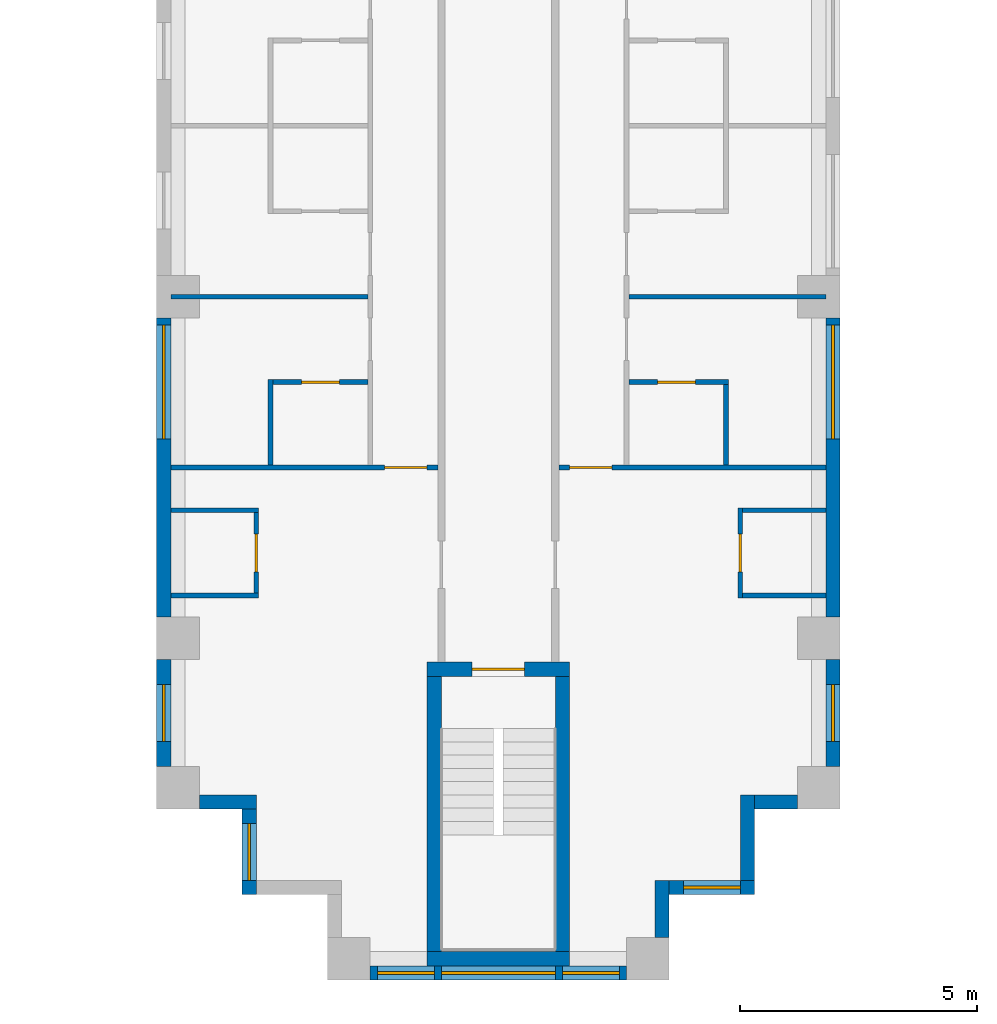
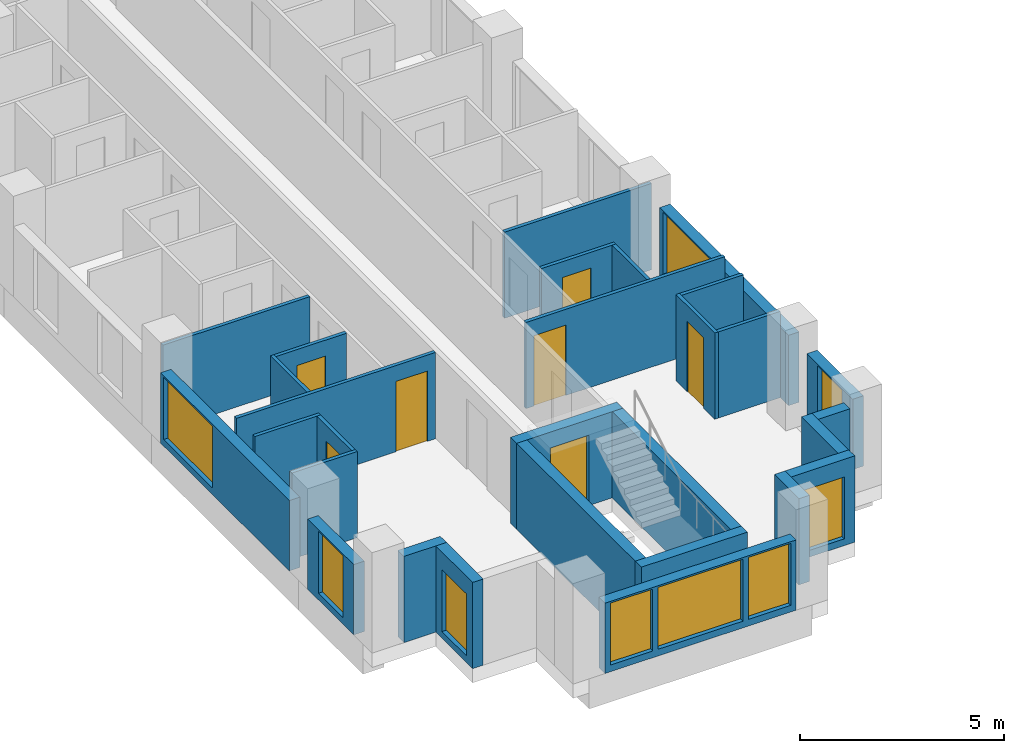
# One storey, part 3 of 14: 29 walls, 9 windows, 7 doors, 16 openings.
"""IFC4 building model written with IfcOpenShell, lengths in metres."""

from ifc_helpers import new_model, si_unit, direction, frame, frame_2d, origin, place, context, subcontext, project, spatial, rectangle, extrude, material, layer, layer_set, type_object, element, fill, save


model = new_model("IFC4")

# Units and contexts
model_context = context("Model", 3, precision=1e-05, world=origin(), true_north=direction((0.0, 1.0)))
body_context = subcontext(model_context, "Body", "Model", "MODEL_VIEW")
ifc_project = project(units=[si_unit("LENGTHUNIT", "METRE"), si_unit("AREAUNIT", "SQUARE_METRE"), si_unit("VOLUMEUNIT", "CUBIC_METRE"), si_unit("PLANEANGLEUNIT", "RADIAN"), si_unit("MASSUNIT", "GRAM", prefix="KILO")], contexts=[model_context])

# Site, building, storey
site_placement = place(None, origin())
site = spatial("IfcSite", under=ifc_project, at=site_placement, CompositionType="ELEMENT")
building_placement = place(site_placement, origin())
building = spatial("IfcBuilding", under=site, at=building_placement, Name="Fustian Cross Tower", CompositionType="ELEMENT")
storey_placement = place(building_placement, frame((0.0, 0.0, 96.89990234375)))
storey = spatial("IfcBuildingStorey", under=building, at=storey_placement, Name="L30", CompositionType="ELEMENT", Elevation=96.89990234375)

# Walls
ifc_material_1 = material(Name="Plasterboard on steel stud", Category="steel")
ifc_layer_1 = layer(ifc_material_1, 0.10009765625)
ifc_layer_set_1 = layer_set([ifc_layer_1], Name="Plasterboard on steel stud")
wall_type_1 = type_object("IfcWallType", Name="PARTITION 100 STUD", PredefinedType="PARTITIONING", material=ifc_layer_set_1)
for number, where, z_axis, x_axis, name in (
    (1, (-6.89990234375, -35.10009765625, 0.0), (0.0, 0.0, 1.0), (1.0, 0.0, 0.0), "Partition 15"),
    (2, (-6.89990234375, -33.300048828125, 0.0), (0.0, 0.0, 1.0), (1.0, 0.0, 0.0), "Partition 16"),
):
    element("IfcWall", number, at=place(storey_placement, frame(where, z_axis=z_axis, x_axis=x_axis)), inside=storey, type_object=wall_type_1, Name=name, PredefinedType="PARTITIONING", context=body_context, shape_type="SweptSolid", body=[
        extrude(rectangle(XDim=1.849853515625, YDim=0.10009765625, at=frame_2d((0.9248046875, 0.0))), origin(), (0.0, 0.0, 1.0), 2.5751953125),
    ])

# Wall, opening, door
wall_1_placement = place(storey_placement, frame((-6.89990234375, -32.39990234375, 0.0), z_axis=(0.0, 0.0, 1.0), x_axis=(1.0, 0.0, 0.0)))
wall_1 = element("IfcWall", 3, at=wall_1_placement, inside=storey, type_object=wall_type_1, Name="Partition 17", PredefinedType="PARTITIONING", context=body_context, shape_type="SweptSolid", body=[
    extrude(rectangle(XDim=5.625, YDim=0.10009765625, at=frame_2d((2.8125, 0.0))), origin(), (0.0, 0.0, 1.0), 2.5751953125),
])
opening_1_placement = place(wall_1_placement, frame((4.5, 0.0, 0.0)))
opening_1 = element("IfcOpeningElement", 4, at=opening_1_placement, cuts=wall_1, Name="Opening D14058", PredefinedType="OPENING", context=body_context, shape_type="SweptSolid", body=[
    extrude(rectangle(XDim=0.89990234375, YDim=2.10009765625, at=frame_2d((0.449951171875, 1.050048828125))), frame((0.0, 0.06005859375, 0.0), z_axis=(0.0, -1.0, 0.0), x_axis=(1.0, 0.0, 0.0)), (0.0, 0.0, 1.0), 0.1201171875),
])
ifc_material_2 = material(Name="Painted timber", Category="wood")
door_type_1 = type_object("IfcDoorType", Name="SWING DOOR 900", OperationType="SINGLE_SWING_LEFT", PredefinedType="DOOR", material=ifc_material_2)
door_1_placement = place(opening_1_placement, origin())
door_1 = element("IfcDoor", 5, at=door_1_placement, inside=storey, type_object=door_type_1, Name="Door D14058", OperationType="SINGLE_SWING_LEFT", OverallHeight=2.10009765625, OverallWidth=0.89990234375, PredefinedType="DOOR", context=body_context, shape_type="SweptSolid", body=[
    extrude(rectangle(XDim=0.89990234375, YDim=2.10009765625, at=frame_2d((0.449951171875, 1.050048828125))), frame((0.0, 0.02490234375, 0.0), z_axis=(0.0, -1.0, 0.0), x_axis=(1.0, 0.0, 0.0)), (0.0, 0.0, 1.0), 0.050048828125),
])
fill(opening_1, door_1)

# Wall
wall_2_placement = place(storey_placement, frame((-6.89990234375, -28.800048828125, 0.0), z_axis=(0.0, 0.0, 1.0), x_axis=(1.0, 0.0, 0.0)))
element("IfcWall", 6, at=wall_2_placement, inside=storey, type_object=wall_type_1, Name="Partition 18", PredefinedType="PARTITIONING", context=body_context, shape_type="SweptSolid", body=[
    extrude(rectangle(XDim=4.14990234375, YDim=0.10009765625, at=frame_2d((2.074951171875, 0.0))), origin(), (0.0, 0.0, 1.0), 2.5751953125),
])

# Wall, opening, door
wall_3_placement = place(storey_placement, frame((-5.10009765625, -35.050048828125, 0.0), z_axis=(0.0, 0.0, 1.0), x_axis=(0.0, 1.0, 0.0)))
wall_3 = element("IfcWall", 7, at=wall_3_placement, inside=storey, type_object=wall_type_1, Name="Partition 23", PredefinedType="PARTITIONING", context=body_context, shape_type="SweptSolid", body=[
    extrude(rectangle(XDim=1.699951171875, YDim=0.10009765625, at=frame_2d((0.85009765625, 0.0))), origin(), (0.0, 0.0, 1.0), 2.5751953125),
])
opening_2_placement = place(wall_3_placement, frame((0.449951171875, 0.0, 0.0)))
opening_2 = element("IfcOpeningElement", 8, at=opening_2_placement, cuts=wall_3, Name="Opening D14051", PredefinedType="OPENING", context=body_context, shape_type="SweptSolid", body=[
    extrude(rectangle(XDim=0.800048828125, YDim=2.10009765625, at=frame_2d((0.39990234375, 1.050048828125))), frame((0.0, 0.06005859375, 0.0), z_axis=(0.0, -1.0, 0.0), x_axis=(1.0, 0.0, 0.0)), (0.0, 0.0, 1.0), 0.1201171875),
])
ifc_material_3 = material(Name="Painted timber", Category="wood")
door_type_2 = type_object("IfcDoorType", Name="SWING DOOR 800", OperationType="SINGLE_SWING_LEFT", PredefinedType="DOOR", material=ifc_material_3)
door_2_placement = place(opening_2_placement, origin())
door_2 = element("IfcDoor", 9, at=door_2_placement, inside=storey, type_object=door_type_2, Name="Door D14051", OperationType="SINGLE_SWING_RIGHT", OverallHeight=2.10009765625, OverallWidth=0.800048828125, PredefinedType="DOOR", context=body_context, shape_type="SweptSolid", body=[
    extrude(rectangle(XDim=0.800048828125, YDim=2.10009765625, at=frame_2d((0.39990234375, 1.050048828125))), frame((0.0, 0.02490234375, 0.0), z_axis=(0.0, -1.0, 0.0), x_axis=(1.0, 0.0, 0.0)), (0.0, 0.0, 1.0), 0.050048828125),
])
fill(opening_2, door_2)

# Wall
wall_4_placement = place(storey_placement, frame((-4.800048828125, -32.35009765625, 0.0), z_axis=(0.0, 0.0, 1.0), x_axis=(0.0, 1.0, 0.0)))
element("IfcWall", 10, at=wall_4_placement, inside=storey, type_object=wall_type_1, Name="Partition 24", PredefinedType="PARTITIONING", context=body_context, shape_type="SweptSolid", body=[
    extrude(rectangle(XDim=1.800048828125, YDim=0.10009765625, at=frame_2d((0.89990234375, 0.0))), origin(), (0.0, 0.0, 1.0), 2.5751953125),
])

# Wall, opening, door
wall_5_placement = place(storey_placement, frame((-4.75, -30.60009765625, 0.0), z_axis=(0.0, 0.0, 1.0), x_axis=(1.0, 0.0, 0.0)))
wall_5 = element("IfcWall", 11, at=wall_5_placement, inside=storey, type_object=wall_type_1, Name="Partition 25", PredefinedType="PARTITIONING", context=body_context, shape_type="SweptSolid", body=[
    extrude(rectangle(XDim=2.0, YDim=0.10009765625, at=frame_2d((1.0, 0.0))), origin(), (0.0, 0.0, 1.0), 2.5751953125),
])
opening_3_placement = place(wall_5_placement, frame((0.60009765625, 0.0, 0.0)))
opening_3 = element("IfcOpeningElement", 12, at=opening_3_placement, cuts=wall_5, Name="Opening D14063", PredefinedType="OPENING", context=body_context, shape_type="SweptSolid", body=[
    extrude(rectangle(XDim=0.800048828125, YDim=2.10009765625, at=frame_2d((0.39990234375, 1.050048828125))), frame((0.0, 0.06005859375, 0.0), z_axis=(0.0, -1.0, 0.0), x_axis=(1.0, 0.0, 0.0)), (0.0, 0.0, 1.0), 0.1201171875),
])
door_3_placement = place(opening_3_placement, frame((0.800048828125, 0.0, 0.0), z_axis=(0.0, 0.0, 1.0), x_axis=(-1.0, 0.0, 0.0)))
door_3 = element("IfcDoor", 13, at=door_3_placement, inside=storey, type_object=door_type_2, Name="Door D14063", OperationType="SINGLE_SWING_RIGHT", OverallHeight=2.10009765625, OverallWidth=0.800048828125, PredefinedType="DOOR", context=body_context, shape_type="SweptSolid", body=[
    extrude(rectangle(XDim=0.800048828125, YDim=2.10009765625, at=frame_2d((0.39990234375, 1.050048828125))), frame((0.0, 0.02490234375, 0.0), z_axis=(0.0, -1.0, 0.0), x_axis=(1.0, 0.0, 0.0)), (0.0, 0.0, 1.0), 0.050048828125),
])
fill(opening_3, door_3)

wall_6_placement = place(storey_placement, frame((1.27490234375, -32.39990234375, 0.0), z_axis=(0.0, 0.0, 1.0), x_axis=(1.0, 0.0, 0.0)))
wall_6 = element("IfcWall", 14, at=wall_6_placement, inside=storey, type_object=wall_type_1, Name="Partition 44", PredefinedType="PARTITIONING", context=body_context, shape_type="SweptSolid", body=[
    extrude(rectangle(XDim=5.625, YDim=0.10009765625, at=frame_2d((2.8125, 0.0))), origin(), (0.0, 0.0, 1.0), 2.5751953125),
])
opening_4_placement = place(wall_6_placement, frame((0.22509765625, 0.0, 0.0)))
opening_4 = element("IfcOpeningElement", 15, at=opening_4_placement, cuts=wall_6, Name="Opening D14039", PredefinedType="OPENING", context=body_context, shape_type="SweptSolid", body=[
    extrude(rectangle(XDim=0.89990234375, YDim=2.10009765625, at=frame_2d((0.449951171875, 1.050048828125))), frame((0.0, 0.06005859375, 0.0), z_axis=(0.0, -1.0, 0.0), x_axis=(1.0, 0.0, 0.0)), (0.0, 0.0, 1.0), 0.1201171875),
])
door_4_placement = place(opening_4_placement, origin())
door_4 = element("IfcDoor", 16, at=door_4_placement, inside=storey, type_object=door_type_1, Name="Door D14039", OperationType="SINGLE_SWING_LEFT", OverallHeight=2.10009765625, OverallWidth=0.89990234375, PredefinedType="DOOR", context=body_context, shape_type="SweptSolid", body=[
    extrude(rectangle(XDim=0.89990234375, YDim=2.10009765625, at=frame_2d((0.449951171875, 1.050048828125))), frame((0.0, 0.02490234375, 0.0), z_axis=(0.0, -1.0, 0.0), x_axis=(1.0, 0.0, 0.0)), (0.0, 0.0, 1.0), 0.050048828125),
])
fill(opening_4, door_4)

wall_7_placement = place(storey_placement, frame((2.75, -30.60009765625, 0.0), z_axis=(0.0, 0.0, 1.0), x_axis=(1.0, 0.0, 0.0)))
wall_7 = element("IfcWall", 17, at=wall_7_placement, inside=storey, type_object=wall_type_1, Name="Partition 57", PredefinedType="PARTITIONING", context=body_context, shape_type="SweptSolid", body=[
    extrude(rectangle(XDim=2.10009765625, YDim=0.10009765625, at=frame_2d((1.050048828125, 0.0))), origin(), (0.0, 0.0, 1.0), 2.5751953125),
])
opening_5_placement = place(wall_7_placement, frame((0.60009765625, 0.0, 0.0)))
opening_5 = element("IfcOpeningElement", 18, at=opening_5_placement, cuts=wall_7, Name="Opening D14049", PredefinedType="OPENING", context=body_context, shape_type="SweptSolid", body=[
    extrude(rectangle(XDim=0.800048828125, YDim=2.10009765625, at=frame_2d((0.39990234375, 1.050048828125))), frame((0.0, 0.06005859375, 0.0), z_axis=(0.0, -1.0, 0.0), x_axis=(1.0, 0.0, 0.0)), (0.0, 0.0, 1.0), 0.1201171875),
])
door_5_placement = place(opening_5_placement, frame((0.800048828125, 0.0, 0.0), z_axis=(0.0, 0.0, 1.0), x_axis=(-1.0, 0.0, 0.0)))
door_5 = element("IfcDoor", 19, at=door_5_placement, inside=storey, type_object=door_type_2, Name="Door D14049", OperationType="SINGLE_SWING_RIGHT", OverallHeight=2.10009765625, OverallWidth=0.800048828125, PredefinedType="DOOR", context=body_context, shape_type="SweptSolid", body=[
    extrude(rectangle(XDim=0.800048828125, YDim=2.10009765625, at=frame_2d((0.39990234375, 1.050048828125))), frame((0.0, 0.02490234375, 0.0), z_axis=(0.0, -1.0, 0.0), x_axis=(1.0, 0.0, 0.0)), (0.0, 0.0, 1.0), 0.050048828125),
])
fill(opening_5, door_5)

# Walls
wall_8_placement = place(storey_placement, frame((2.75, -28.800048828125, 0.0), z_axis=(0.0, 0.0, 1.0), x_axis=(1.0, 0.0, 0.0)))
element("IfcWall", 20, at=wall_8_placement, inside=storey, type_object=wall_type_1, Name="Partition 58", PredefinedType="PARTITIONING", context=body_context, shape_type="SweptSolid", body=[
    extrude(rectangle(XDim=4.14990234375, YDim=0.10009765625, at=frame_2d((2.074951171875, 0.0))), origin(), (0.0, 0.0, 1.0), 2.5751953125),
])
wall_9_placement = place(storey_placement, frame((4.800048828125, -32.35009765625, 0.0), z_axis=(0.0, 0.0, 1.0), x_axis=(0.0, 1.0, 0.0)))
element("IfcWall", 21, at=wall_9_placement, inside=storey, type_object=wall_type_1, Name="Partition 69", PredefinedType="PARTITIONING", context=body_context, shape_type="SweptSolid", body=[
    extrude(rectangle(XDim=1.7001953125, YDim=0.10009765625, at=frame_2d((0.85009765625, 0.0))), origin(), (0.0, 0.0, 1.0), 2.5751953125),
])

# Wall, opening, door
wall_10_placement = place(storey_placement, frame((5.10009765625, -35.14990234375, 0.0), z_axis=(0.0, 0.0, 1.0), x_axis=(0.0, 1.0, 0.0)))
wall_10 = element("IfcWall", 22, at=wall_10_placement, inside=storey, type_object=wall_type_1, Name="Partition 73", PredefinedType="PARTITIONING", context=body_context, shape_type="SweptSolid", body=[
    extrude(rectangle(XDim=1.89990234375, YDim=0.10009765625, at=frame_2d((0.949951171875, 0.0))), origin(), (0.0, 0.0, 1.0), 2.5751953125),
])
opening_6_placement = place(wall_10_placement, frame((0.550048828125, 0.0, 0.0)))
opening_6 = element("IfcOpeningElement", 23, at=opening_6_placement, cuts=wall_10, Name="Opening D14037", PredefinedType="OPENING", context=body_context, shape_type="SweptSolid", body=[
    extrude(rectangle(XDim=0.800048828125, YDim=2.10009765625, at=frame_2d((0.39990234375, 1.050048828125))), frame((0.0, 0.06005859375, 0.0), z_axis=(0.0, -1.0, 0.0), x_axis=(1.0, 0.0, 0.0)), (0.0, 0.0, 1.0), 0.1201171875),
])
door_6_placement = place(opening_6_placement, frame((0.800048828125, 0.0, 0.0), z_axis=(0.0, 0.0, 1.0), x_axis=(-1.0, 0.0, 0.0)))
door_6 = element("IfcDoor", 24, at=door_6_placement, inside=storey, type_object=door_type_2, Name="Door D14037", OperationType="SINGLE_SWING_LEFT", OverallHeight=2.10009765625, OverallWidth=0.800048828125, PredefinedType="DOOR", context=body_context, shape_type="SweptSolid", body=[
    extrude(rectangle(XDim=0.800048828125, YDim=2.10009765625, at=frame_2d((0.39990234375, 1.050048828125))), frame((0.0, 0.02490234375, 0.0), z_axis=(0.0, -1.0, 0.0), x_axis=(1.0, 0.0, 0.0)), (0.0, 0.0, 1.0), 0.050048828125),
])
fill(opening_6, door_6)

# Walls
for number, where, z_axis, x_axis, name in (
    (25, (5.14990234375, -35.10009765625, 0.0), (0.0, 0.0, 1.0), (1.0, 0.0, 0.0), "Partition 74"),
    (26, (5.14990234375, -33.300048828125, 0.0), (0.0, 0.0, 1.0), (1.0, 0.0, 0.0), "Partition 75"),
):
    element("IfcWall", number, at=place(storey_placement, frame(where, z_axis=z_axis, x_axis=x_axis)), inside=storey, type_object=wall_type_1, Name=name, PredefinedType="PARTITIONING", context=body_context, shape_type="SweptSolid", body=[
        extrude(rectangle(XDim=1.75, YDim=0.10009765625, at=frame_2d((0.875, 0.0))), origin(), (0.0, 0.0, 1.0), 2.5751953125),
    ])

# Wall, opening, door
ifc_material_4 = material(Name="Concrete C50/60", Category="concrete")
ifc_layer_2 = layer(ifc_material_4, 0.300048828125)
ifc_layer_set_2 = layer_set([ifc_layer_2], Name="Concrete C50/60")
wall_type_2 = type_object("IfcWallType", Name="STAIR ENCLOSURE WALL 300 C50/60", PredefinedType="SHEAR", material=ifc_layer_set_2)
wall_11_placement = place(storey_placement, frame((-1.5, -36.64990234375, 0.0), z_axis=(0.0, 0.0, 1.0), x_axis=(1.0, 0.0, 0.0)))
wall_11 = element("IfcWall", 27, at=wall_11_placement, inside=storey, type_object=wall_type_2, Name="Stair enclosure wall", PredefinedType="SHEAR", context=body_context, shape_type="SweptSolid", body=[
    extrude(rectangle(XDim=3.0, YDim=0.300048828125, at=frame_2d((1.5, 0.0))), origin(), (0.0, 0.0, 1.0), 2.5751953125),
])
opening_7_placement = place(wall_11_placement, frame((0.949951171875, 0.0, 0.0)))
opening_7 = element("IfcOpeningElement", 28, at=opening_7_placement, cuts=wall_11, Name="Opening CD-09-29", PredefinedType="OPENING", context=body_context, shape_type="SweptSolid", body=[
    extrude(rectangle(XDim=1.10009765625, YDim=2.10009765625, at=frame_2d((0.550048828125, 1.050048828125))), frame((0.0, 0.159912109375, 0.0), z_axis=(0.0, -1.0, 0.0), x_axis=(1.0, 0.0, 0.0)), (0.0, 0.0, 1.0), 0.320068359375),
])
ifc_material_5 = material(Name="Steel", Category="steel")
door_type_3 = type_object("IfcDoorType", Name="FIRE DOOR FD60S 1100X2100", OperationType="SINGLE_SWING_LEFT", PredefinedType="DOOR", material=ifc_material_5)
door_7_placement = place(opening_7_placement, frame((1.10009765625, 0.0, 0.0), z_axis=(0.0, 0.0, 1.0), x_axis=(-1.0, 0.0, 0.0)))
door_7 = element("IfcDoor", 29, at=door_7_placement, inside=storey, type_object=door_type_3, Name="Core door CD-09-29", OperationType="SINGLE_SWING_RIGHT", OverallHeight=2.10009765625, OverallWidth=1.10009765625, PredefinedType="DOOR", context=body_context, shape_type="SweptSolid", body=[
    extrude(rectangle(XDim=1.10009765625, YDim=2.10009765625, at=frame_2d((0.550048828125, 1.050048828125))), frame((0.0, 0.02490234375, 0.0), z_axis=(0.0, -1.0, 0.0), x_axis=(1.0, 0.0, 0.0)), (0.0, 0.0, 1.0), 0.050048828125),
])
fill(opening_7, door_7)

# Walls
wall_12_placement = place(storey_placement, frame((-1.5, -42.75, 0.0), z_axis=(0.0, 0.0, 1.0), x_axis=(1.0, 0.0, 0.0)))
element("IfcWall", 30, at=wall_12_placement, inside=storey, type_object=wall_type_2, Name="Stair enclosure wall", PredefinedType="SHEAR", context=body_context, shape_type="SweptSolid", body=[
    extrude(rectangle(XDim=3.0, YDim=0.300048828125, at=frame_2d((1.5, 0.0))), origin(), (0.0, 0.0, 1.0), 2.5751953125),
])
for number, where, z_axis, x_axis, name in (
    (31, (-1.35009765625, -36.800048828125, 0.0), (0.0, 0.0, 1.0), (0.0, -1.0, 0.0), "Stair enclosure wall"),
    (32, (1.35009765625, -36.800048828125, 0.0), (0.0, 0.0, 1.0), (0.0, -1.0, 0.0), "Stair enclosure wall"),
):
    element("IfcWall", number, at=place(storey_placement, frame(where, z_axis=z_axis, x_axis=x_axis)), inside=storey, type_object=wall_type_2, Name=name, PredefinedType="SHEAR", context=body_context, shape_type="SweptSolid", body=[
        extrude(rectangle(XDim=5.800048828125, YDim=0.300048828125, at=frame_2d((2.89990234375, 0.0))), origin(), (0.0, 0.0, 1.0), 2.5751953125),
    ])

# Wall, opening, window
ifc_material_6 = material(Name="Dark aluminium cladding on insulated backing wall", Category="aluminium")
ifc_layer_3 = layer(ifc_material_6, 0.300048828125)
ifc_layer_set_3 = layer_set([ifc_layer_3], Name="Dark aluminium cladding on insulated backing wall")
wall_type_3 = type_object("IfcWallType", Name="XW1 EXTERNAL WALL 300", PredefinedType="SOLIDWALL", material=ifc_layer_set_3)
wall_13_placement = place(storey_placement, frame((-7.050048828125, -29.25, 0.0), z_axis=(0.0, 0.0, 1.0), x_axis=(0.0, -1.0, 0.0)))
wall_13 = element("IfcWall", 33, at=wall_13_placement, inside=storey, type_object=wall_type_3, Name="External wall", PredefinedType="SOLIDWALL", context=body_context, shape_type="SweptSolid", body=[
    extrude(rectangle(XDim=6.300048828125, YDim=0.300048828125, at=frame_2d((3.14990234375, 0.0))), origin(), (0.0, 0.0, 1.0), 2.10009765625),
])
opening_8_placement = place(wall_13_placement, frame((0.14990234375, 0.0, 0.199951171875)))
opening_8 = element("IfcOpeningElement", 34, at=opening_8_placement, cuts=wall_13, Name="Opening WN1", PredefinedType="OPENING", context=body_context, shape_type="SweptSolid", body=[
    extrude(rectangle(XDim=2.39990234375, YDim=1.85009765625, at=frame_2d((1.199951171875, 0.925048828125))), frame((0.0, 0.159912109375, 0.0), z_axis=(0.0, -1.0, 0.0), x_axis=(1.0, 0.0, 0.0)), (0.0, 0.0, 1.0), 0.320068359375),
])
ifc_material_7 = material(Name="Dark anodised aluminium and double glazing", Category="aluminium")
window_type_1 = type_object("IfcWindowType", Name="WN1 WINDOW 2400X1850", PartitioningType="SINGLE_PANEL", PredefinedType="WINDOW", material=ifc_material_7)
window_1_placement = place(opening_8_placement, origin())
window_1 = element("IfcWindow", 35, at=window_1_placement, inside=storey, type_object=window_type_1, Name="Window", OverallHeight=1.85009765625, OverallWidth=2.39990234375, PartitioningType="SINGLE_PANEL", PredefinedType="WINDOW", context=body_context, shape_type="SweptSolid", body=[
    extrude(rectangle(XDim=2.39990234375, YDim=1.85009765625, at=frame_2d((1.199951171875, 0.925048828125))), frame((0.0, 0.030029296875, 0.0), z_axis=(0.0, -1.0, 0.0), x_axis=(1.0, 0.0, 0.0)), (0.0, 0.0, 1.0), 0.06005859375),
])
fill(opening_8, window_1)

wall_14_placement = place(storey_placement, frame((-7.050048828125, -36.449951171875, 0.0), z_axis=(0.0, 0.0, 1.0), x_axis=(0.0, -1.0, 0.0)))
wall_14 = element("IfcWall", 36, at=wall_14_placement, inside=storey, type_object=wall_type_3, Name="External wall", PredefinedType="SOLIDWALL", context=body_context, shape_type="SweptSolid", body=[
    extrude(rectangle(XDim=2.25, YDim=0.300048828125, at=frame_2d((1.125, 0.0))), origin(), (0.0, 0.0, 1.0), 2.10009765625),
])
opening_9_placement = place(wall_14_placement, frame((0.52490234375, 0.0, 0.199951171875)))
opening_9 = element("IfcOpeningElement", 37, at=opening_9_placement, cuts=wall_14, Name="Opening WN3", PredefinedType="OPENING", context=body_context, shape_type="SweptSolid", body=[
    extrude(rectangle(XDim=1.199951171875, YDim=1.85009765625, at=frame_2d((0.60009765625, 0.925048828125))), frame((0.0, 0.159912109375, 0.0), z_axis=(0.0, -1.0, 0.0), x_axis=(1.0, 0.0, 0.0)), (0.0, 0.0, 1.0), 0.320068359375),
])
ifc_material_8 = material(Name="Dark anodised aluminium and double glazing", Category="aluminium")
window_type_2 = type_object("IfcWindowType", Name="WN3 WINDOW 1200X1850", PartitioningType="SINGLE_PANEL", PredefinedType="WINDOW", material=ifc_material_8)
window_2_placement = place(opening_9_placement, origin())
window_2 = element("IfcWindow", 38, at=window_2_placement, inside=storey, type_object=window_type_2, Name="Window", OverallHeight=1.85009765625, OverallWidth=1.199951171875, PartitioningType="SINGLE_PANEL", PredefinedType="WINDOW", context=body_context, shape_type="SweptSolid", body=[
    extrude(rectangle(XDim=1.199951171875, YDim=1.85009765625, at=frame_2d((0.60009765625, 0.925048828125))), frame((0.0, 0.030029296875, 0.0), z_axis=(0.0, -1.0, 0.0), x_axis=(1.0, 0.0, 0.0)), (0.0, 0.0, 1.0), 0.06005859375),
])
fill(opening_9, window_2)

# Wall
wall_15_placement = place(storey_placement, frame((-6.300048828125, -39.449951171875, 0.0), z_axis=(0.0, 0.0, 1.0), x_axis=(1.0, 0.0, 0.0)))
element("IfcWall", 39, at=wall_15_placement, inside=storey, type_object=wall_type_3, Name="External wall", PredefinedType="SOLIDWALL", context=body_context, shape_type="SweptSolid", body=[
    extrude(rectangle(XDim=1.199951171875, YDim=0.300048828125, at=frame_2d((0.60009765625, 0.0))), origin(), (0.0, 0.0, 1.0), 2.5751953125),
])

# Wall, opening, window
wall_16_placement = place(storey_placement, frame((-5.25, -39.60009765625, 0.0), z_axis=(0.0, 0.0, 1.0), x_axis=(0.0, -1.0, 0.0)))
wall_16 = element("IfcWall", 40, at=wall_16_placement, inside=storey, type_object=wall_type_3, Name="External wall", PredefinedType="SOLIDWALL", context=body_context, shape_type="SweptSolid", body=[
    extrude(rectangle(XDim=1.7998046875, YDim=0.300048828125, at=frame_2d((0.89990234375, 0.0))), origin(), (0.0, 0.0, 1.0), 2.5751953125),
])
opening_10_placement = place(wall_16_placement, frame((0.300048828125, 0.0, 0.199951171875)))
opening_10 = element("IfcOpeningElement", 41, at=opening_10_placement, cuts=wall_16, Name="Opening WN3", PredefinedType="OPENING", context=body_context, shape_type="SweptSolid", body=[
    extrude(rectangle(XDim=1.199951171875, YDim=1.85009765625, at=frame_2d((0.60009765625, 0.925048828125))), frame((0.0, 0.159912109375, 0.0), z_axis=(0.0, -1.0, 0.0), x_axis=(1.0, 0.0, 0.0)), (0.0, 0.0, 1.0), 0.320068359375),
])
window_3_placement = place(opening_10_placement, origin())
window_3 = element("IfcWindow", 42, at=window_3_placement, inside=storey, type_object=window_type_2, Name="Window", OverallHeight=1.85009765625, OverallWidth=1.199951171875, PartitioningType="SINGLE_PANEL", PredefinedType="WINDOW", context=body_context, shape_type="SweptSolid", body=[
    extrude(rectangle(XDim=1.199951171875, YDim=1.85009765625, at=frame_2d((0.60009765625, 0.925048828125))), frame((0.0, 0.030029296875, 0.0), z_axis=(0.0, -1.0, 0.0), x_axis=(1.0, 0.0, 0.0)), (0.0, 0.0, 1.0), 0.06005859375),
])
fill(opening_10, window_3)

# Wall, openings, windows
wall_17_placement = place(storey_placement, frame((-2.699951171875, -43.050048828125, 0.0), z_axis=(0.0, 0.0, 1.0), x_axis=(1.0, 0.0, 0.0)))
wall_17 = element("IfcWall", 43, at=wall_17_placement, inside=storey, type_object=wall_type_3, Name="External wall", PredefinedType="SOLIDWALL", context=body_context, shape_type="SweptSolid", body=[
    extrude(rectangle(XDim=5.39990234375, YDim=0.300048828125, at=frame_2d((2.699951171875, 0.0))), origin(), (0.0, 0.0, 1.0), 2.10009765625),
])
opening_11_placement = place(wall_17_placement, frame((1.5, 0.0, 0.199951171875)))
opening_11 = element("IfcOpeningElement", 44, at=opening_11_placement, cuts=wall_17, Name="Opening WN1", PredefinedType="OPENING", context=body_context, shape_type="SweptSolid", body=[
    extrude(rectangle(XDim=2.39990234375, YDim=1.85009765625, at=frame_2d((1.199951171875, 0.925048828125))), frame((0.0, 0.159912109375, 0.0), z_axis=(0.0, -1.0, 0.0), x_axis=(1.0, 0.0, 0.0)), (0.0, 0.0, 1.0), 0.320068359375),
])
opening_12_placement = place(wall_17_placement, frame((0.14990234375, 0.0, 0.199951171875)))
opening_12 = element("IfcOpeningElement", 45, at=opening_12_placement, cuts=wall_17, Name="Opening WN3", PredefinedType="OPENING", context=body_context, shape_type="SweptSolid", body=[
    extrude(rectangle(XDim=1.199951171875, YDim=1.85009765625, at=frame_2d((0.60009765625, 0.925048828125))), frame((0.0, 0.159912109375, 0.0), z_axis=(0.0, -1.0, 0.0), x_axis=(1.0, 0.0, 0.0)), (0.0, 0.0, 1.0), 0.320068359375),
])
opening_13_placement = place(wall_17_placement, frame((4.050048828125, 0.0, 0.199951171875)))
opening_13 = element("IfcOpeningElement", 46, at=opening_13_placement, cuts=wall_17, Name="Opening WN3", PredefinedType="OPENING", context=body_context, shape_type="SweptSolid", body=[
    extrude(rectangle(XDim=1.199951171875, YDim=1.85009765625, at=frame_2d((0.60009765625, 0.925048828125))), frame((0.0, 0.159912109375, 0.0), z_axis=(0.0, -1.0, 0.0), x_axis=(1.0, 0.0, 0.0)), (0.0, 0.0, 1.0), 0.320068359375),
])
window_4_placement = place(opening_11_placement, origin())
window_4 = element("IfcWindow", 47, at=window_4_placement, inside=storey, type_object=window_type_1, Name="Window", OverallHeight=1.85009765625, OverallWidth=2.39990234375, PartitioningType="SINGLE_PANEL", PredefinedType="WINDOW", context=body_context, shape_type="SweptSolid", body=[
    extrude(rectangle(XDim=2.39990234375, YDim=1.85009765625, at=frame_2d((1.199951171875, 0.925048828125))), frame((0.0, 0.030029296875, 0.0), z_axis=(0.0, -1.0, 0.0), x_axis=(1.0, 0.0, 0.0)), (0.0, 0.0, 1.0), 0.06005859375),
])
fill(opening_11, window_4)
window_5_placement = place(opening_12_placement, origin())
window_5 = element("IfcWindow", 48, at=window_5_placement, inside=storey, type_object=window_type_2, Name="Window", OverallHeight=1.85009765625, OverallWidth=1.199951171875, PartitioningType="SINGLE_PANEL", PredefinedType="WINDOW", context=body_context, shape_type="SweptSolid", body=[
    extrude(rectangle(XDim=1.199951171875, YDim=1.85009765625, at=frame_2d((0.60009765625, 0.925048828125))), frame((0.0, 0.030029296875, 0.0), z_axis=(0.0, -1.0, 0.0), x_axis=(1.0, 0.0, 0.0)), (0.0, 0.0, 1.0), 0.06005859375),
])
fill(opening_12, window_5)
window_6_placement = place(opening_13_placement, origin())
window_6 = element("IfcWindow", 49, at=window_6_placement, inside=storey, type_object=window_type_2, Name="Window", OverallHeight=1.85009765625, OverallWidth=1.199951171875, PartitioningType="SINGLE_PANEL", PredefinedType="WINDOW", context=body_context, shape_type="SweptSolid", body=[
    extrude(rectangle(XDim=1.199951171875, YDim=1.85009765625, at=frame_2d((0.60009765625, 0.925048828125))), frame((0.0, 0.030029296875, 0.0), z_axis=(0.0, -1.0, 0.0), x_axis=(1.0, 0.0, 0.0)), (0.0, 0.0, 1.0), 0.06005859375),
])
fill(opening_13, window_6)

# Wall
wall_18_placement = place(storey_placement, frame((3.449951171875, -42.300048828125, 0.0), z_axis=(0.0, 0.0, 1.0), x_axis=(0.0, 1.0, 0.0)))
element("IfcWall", 50, at=wall_18_placement, inside=storey, type_object=wall_type_3, Name="External wall", PredefinedType="SOLIDWALL", context=body_context, shape_type="SweptSolid", body=[
    extrude(rectangle(XDim=1.199951171875, YDim=0.300048828125, at=frame_2d((0.60009765625, 0.0))), origin(), (0.0, 0.0, 1.0), 2.5751953125),
])

# Wall, opening, window
wall_19_placement = place(storey_placement, frame((3.60009765625, -41.25, 0.0), z_axis=(0.0, 0.0, 1.0), x_axis=(1.0, 0.0, 0.0)))
wall_19 = element("IfcWall", 51, at=wall_19_placement, inside=storey, type_object=wall_type_3, Name="External wall", PredefinedType="SOLIDWALL", context=body_context, shape_type="SweptSolid", body=[
    extrude(rectangle(XDim=1.7998046875, YDim=0.300048828125, at=frame_2d((0.89990234375, 0.0))), origin(), (0.0, 0.0, 1.0), 2.5751953125),
])
opening_14_placement = place(wall_19_placement, frame((0.300048828125, 0.0, 0.199951171875)))
opening_14 = element("IfcOpeningElement", 52, at=opening_14_placement, cuts=wall_19, Name="Opening WN3", PredefinedType="OPENING", context=body_context, shape_type="SweptSolid", body=[
    extrude(rectangle(XDim=1.199951171875, YDim=1.85009765625, at=frame_2d((0.60009765625, 0.925048828125))), frame((0.0, 0.159912109375, 0.0), z_axis=(0.0, -1.0, 0.0), x_axis=(1.0, 0.0, 0.0)), (0.0, 0.0, 1.0), 0.320068359375),
])
window_7_placement = place(opening_14_placement, origin())
window_7 = element("IfcWindow", 53, at=window_7_placement, inside=storey, type_object=window_type_2, Name="Window", OverallHeight=1.85009765625, OverallWidth=1.199951171875, PartitioningType="SINGLE_PANEL", PredefinedType="WINDOW", context=body_context, shape_type="SweptSolid", body=[
    extrude(rectangle(XDim=1.199951171875, YDim=1.85009765625, at=frame_2d((0.60009765625, 0.925048828125))), frame((0.0, 0.030029296875, 0.0), z_axis=(0.0, -1.0, 0.0), x_axis=(1.0, 0.0, 0.0)), (0.0, 0.0, 1.0), 0.06005859375),
])
fill(opening_14, window_7)

# Walls
wall_20_placement = place(storey_placement, frame((5.25, -41.10009765625, 0.0), z_axis=(0.0, 0.0, 1.0), x_axis=(0.0, 1.0, 0.0)))
element("IfcWall", 54, at=wall_20_placement, inside=storey, type_object=wall_type_3, Name="External wall", PredefinedType="SOLIDWALL", context=body_context, shape_type="SweptSolid", body=[
    extrude(rectangle(XDim=1.800048828125, YDim=0.300048828125, at=frame_2d((0.89990234375, 0.0))), origin(), (0.0, 0.0, 1.0), 2.5751953125),
])
wall_21_placement = place(storey_placement, frame((5.39990234375, -39.449951171875, 0.0), z_axis=(0.0, 0.0, 1.0), x_axis=(1.0, 0.0, 0.0)))
element("IfcWall", 55, at=wall_21_placement, inside=storey, type_object=wall_type_3, Name="External wall", PredefinedType="SOLIDWALL", context=body_context, shape_type="SweptSolid", body=[
    extrude(rectangle(XDim=0.900146484375, YDim=0.300048828125, at=frame_2d((0.4501953125, 0.0))), origin(), (0.0, 0.0, 1.0), 2.5751953125),
])

# Wall, opening, window
wall_22_placement = place(storey_placement, frame((7.050048828125, -38.699951171875, 0.0), z_axis=(0.0, 0.0, 1.0), x_axis=(0.0, 1.0, 0.0)))
wall_22 = element("IfcWall", 56, at=wall_22_placement, inside=storey, type_object=wall_type_3, Name="External wall", PredefinedType="SOLIDWALL", context=body_context, shape_type="SweptSolid", body=[
    extrude(rectangle(XDim=2.25, YDim=0.300048828125, at=frame_2d((1.125, 0.0))), origin(), (0.0, 0.0, 1.0), 2.10009765625),
])
opening_15_placement = place(wall_22_placement, frame((0.52490234375, 0.0, 0.199951171875)))
opening_15 = element("IfcOpeningElement", 57, at=opening_15_placement, cuts=wall_22, Name="Opening WN3", PredefinedType="OPENING", context=body_context, shape_type="SweptSolid", body=[
    extrude(rectangle(XDim=1.199951171875, YDim=1.85009765625, at=frame_2d((0.60009765625, 0.925048828125))), frame((0.0, 0.159912109375, 0.0), z_axis=(0.0, -1.0, 0.0), x_axis=(1.0, 0.0, 0.0)), (0.0, 0.0, 1.0), 0.320068359375),
])
window_8_placement = place(opening_15_placement, origin())
window_8 = element("IfcWindow", 58, at=window_8_placement, inside=storey, type_object=window_type_2, Name="Window", OverallHeight=1.85009765625, OverallWidth=1.199951171875, PartitioningType="SINGLE_PANEL", PredefinedType="WINDOW", context=body_context, shape_type="SweptSolid", body=[
    extrude(rectangle(XDim=1.199951171875, YDim=1.85009765625, at=frame_2d((0.60009765625, 0.925048828125))), frame((0.0, 0.030029296875, 0.0), z_axis=(0.0, -1.0, 0.0), x_axis=(1.0, 0.0, 0.0)), (0.0, 0.0, 1.0), 0.06005859375),
])
fill(opening_15, window_8)

wall_23_placement = place(storey_placement, frame((7.050048828125, -35.550048828125, 0.0), z_axis=(0.0, 0.0, 1.0), x_axis=(0.0, 1.0, 0.0)))
wall_23 = element("IfcWall", 59, at=wall_23_placement, inside=storey, type_object=wall_type_3, Name="External wall", PredefinedType="SOLIDWALL", context=body_context, shape_type="SweptSolid", body=[
    extrude(rectangle(XDim=6.300048828125, YDim=0.300048828125, at=frame_2d((3.14990234375, 0.0))), origin(), (0.0, 0.0, 1.0), 2.10009765625),
])
opening_16_placement = place(wall_23_placement, frame((3.75, 0.0, 0.199951171875)))
opening_16 = element("IfcOpeningElement", 60, at=opening_16_placement, cuts=wall_23, Name="Opening WN1", PredefinedType="OPENING", context=body_context, shape_type="SweptSolid", body=[
    extrude(rectangle(XDim=2.39990234375, YDim=1.85009765625, at=frame_2d((1.199951171875, 0.925048828125))), frame((0.0, 0.159912109375, 0.0), z_axis=(0.0, -1.0, 0.0), x_axis=(1.0, 0.0, 0.0)), (0.0, 0.0, 1.0), 0.320068359375),
])
window_9_placement = place(opening_16_placement, origin())
window_9 = element("IfcWindow", 61, at=window_9_placement, inside=storey, type_object=window_type_1, Name="Window", OverallHeight=1.85009765625, OverallWidth=2.39990234375, PartitioningType="SINGLE_PANEL", PredefinedType="WINDOW", context=body_context, shape_type="SweptSolid", body=[
    extrude(rectangle(XDim=2.39990234375, YDim=1.85009765625, at=frame_2d((1.199951171875, 0.925048828125))), frame((0.0, 0.030029296875, 0.0), z_axis=(0.0, -1.0, 0.0), x_axis=(1.0, 0.0, 0.0)), (0.0, 0.0, 1.0), 0.06005859375),
])
fill(opening_16, window_9)

save(model, "model.ifc")
